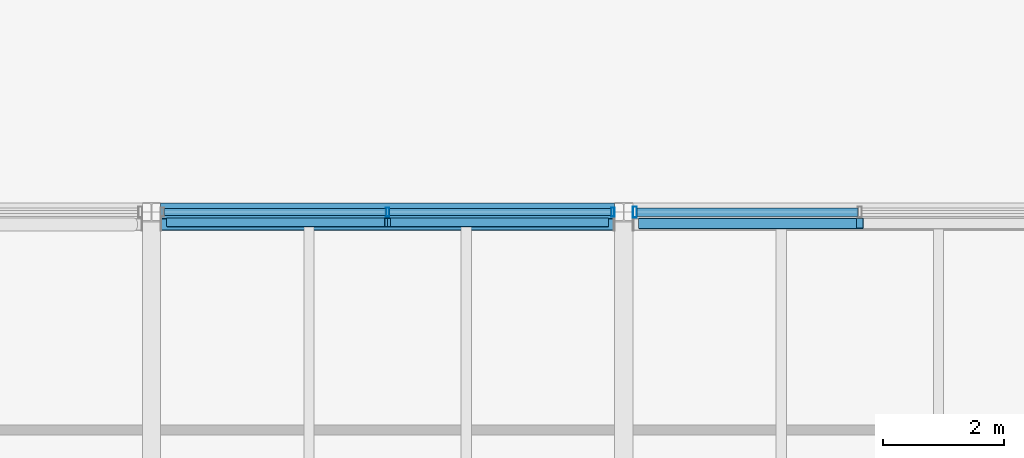
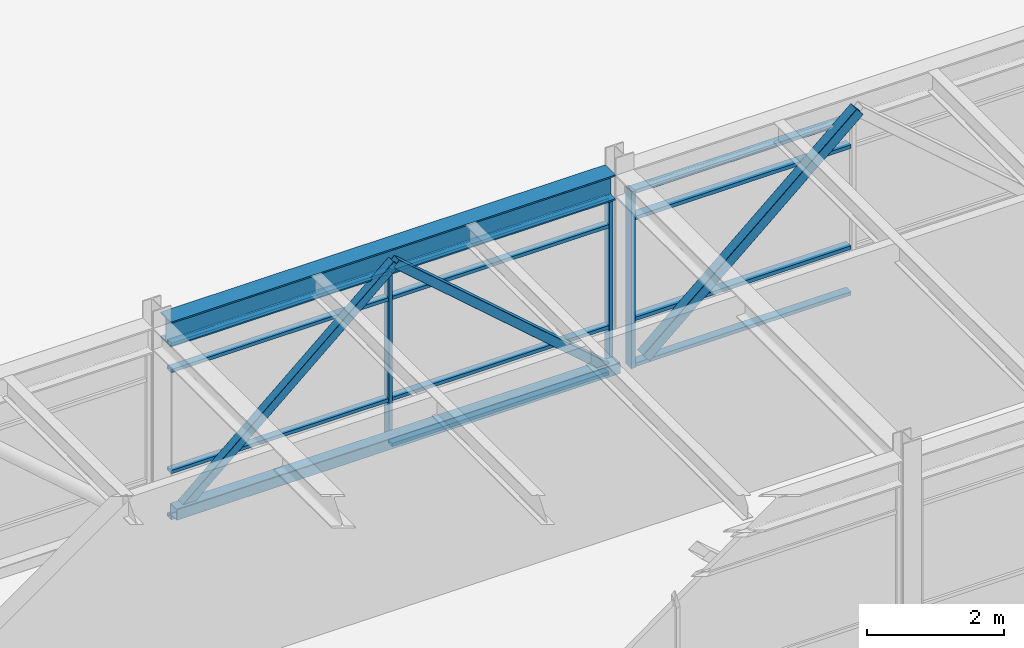
# One storey, part 17 of 72: 19 members, 1 beam, 2 elements without a shape of their own.
"""IFC4 building model written with IfcOpenShell, lengths in metres."""

from ifc_helpers import new_model, si_unit, direction, frame, origin, origin_2d, place, context, subcontext, project, spatial, hollow_rectangle, i_section, extrude, material, material_profile, profile_set, type_object, element, aggregate, save


model = new_model("IFC4")

# Units and contexts
model_context = context("Model", 3, precision=1e-05, world=origin(), true_north=direction((0.0, 1.0)))
body_context = subcontext(model_context, "Body", "Model", "MODEL_VIEW")
ifc_project = project(units=[si_unit("LENGTHUNIT", "METRE"), si_unit("AREAUNIT", "SQUARE_METRE"), si_unit("VOLUMEUNIT", "CUBIC_METRE"), si_unit("PLANEANGLEUNIT", "RADIAN"), si_unit("MASSUNIT", "GRAM", prefix="KILO"), si_unit("THERMODYNAMICTEMPERATUREUNIT", "KELVIN"), si_unit("POWERUNIT", "WATT")], contexts=[model_context])

# Site, building, storey
site_placement = place(None, origin())
site = spatial("IfcSite", under=ifc_project, at=site_placement, CompositionType="ELEMENT")
building_placement = place(site_placement, origin())
building = spatial("IfcBuilding", under=site, at=building_placement, Name="Srebrne Nadtorze General Hospital", CompositionType="ELEMENT")
storey_placement = place(building_placement, frame((0.0, 0.0, 22.199951171875)))
storey = spatial("IfcBuildingStorey", under=building, at=storey_placement, Name="L05", CompositionType="ELEMENT", Elevation=22.199951171875)

# Beam
ifc_material_1 = material(Name="Steel S355J2", Category="steel")
ifc_material_profile_1 = material_profile(ifc_material_1, i_section(OverallWidth=0.300048828125, OverallDepth=0.449951171875, WebThickness=0.013916015625, FlangeThickness=0.02587890625, FilletRadius=0.027099609375, at=origin_2d()), Name="HEB-450")
ifc_profile_set_1 = profile_set([ifc_material_profile_1], Name="Steel S355J2")
beam_type = type_object("IfcBeamType", Name="Courtyard bridge girder HEB 450", PredefinedType="BEAM", material=ifc_profile_set_1)
beam_placement = place(storey_placement, frame((70.35009765625, 58.800048828125, 3.375), z_axis=(1.0, 0.0, 0.0), x_axis=(0.0, 1.0, 0.0)))
element("IfcBeam", 1, at=beam_placement, inside=storey, type_object=beam_type, Name="Beam BM-L05-X-1036", PredefinedType="BEAM", context=body_context, shape_type="SweptSolid", body=[
    extrude(i_section(OverallWidth=0.300048828125, OverallDepth=0.449951171875, WebThickness=0.013916015625, FlangeThickness=0.02587890625, FilletRadius=0.027099609375, at=origin_2d()), origin(), (0.0, 0.0, 1.0), 7.5),
])

# Curtain wall, members
ifc_material_2 = material(Name="Anodised Aluminium", Category="aluminium")
curtain_wall_type = type_object("IfcCurtainWallType", Name="Bridge curtain wall 7500x3150", PredefinedType="NOTDEFINED", material=ifc_material_2)
curtain_wall_1_placement = place(storey_placement, origin())
curtain_wall_1 = element("IfcCurtainWall", 2, at=curtain_wall_1_placement, inside=storey, type_object=curtain_wall_type, Name="Curtain wall CW-126", PredefinedType="NOTDEFINED")
ifc_material_3 = material(Name="Anodised Aluminium", Category="aluminium")
ifc_material_profile_2 = material_profile(ifc_material_3, hollow_rectangle(XDim=0.06005859375, YDim=0.14990234375, WallThickness=0.00390625, at=origin_2d()), Name="AL-MUL-60x150")
ifc_profile_set_2 = profile_set([ifc_material_profile_2], Name="Anodised Aluminium")
member_type_1 = type_object("IfcMemberType", Name="Curtain mullion 60x150", PredefinedType="MULLION", material=ifc_profile_set_2)
member_1_placement = place(storey_placement, frame((74.10009765625, 58.800048828125, 0.0), z_axis=(0.0, 0.0, 1.0), x_axis=(1.0, 0.0, 0.0)))
member_1 = element("IfcMember", 3, at=member_1_placement, type_object=member_type_1, Name="CW-126 mullion 2", PredefinedType="MULLION", context=body_context, shape_type="SweptSolid", body=[
    extrude(hollow_rectangle(XDim=0.06005859375, YDim=0.14990234375, WallThickness=0.00390625, at=origin_2d()), origin(), (0.0, 0.0, 1.0), 3.150146484375),
])
member_2_placement = place(storey_placement, frame((77.820068359375, 58.800048828125, 0.0), z_axis=(0.0, 0.0, 1.0), x_axis=(1.0, 0.0, 0.0)))
member_2 = element("IfcMember", 4, at=member_2_placement, type_object=member_type_1, Name="CW-126 mullion 3", PredefinedType="MULLION", context=body_context, shape_type="SweptSolid", body=[
    extrude(hollow_rectangle(XDim=0.06005859375, YDim=0.14990234375, WallThickness=0.00390625, at=origin_2d()), origin(), (0.0, 0.0, 1.0), 3.150146484375),
])

# Curtain wall, member
curtain_wall_2_placement = place(storey_placement, origin())
curtain_wall_2 = element("IfcCurtainWall", 5, at=curtain_wall_2_placement, inside=storey, type_object=curtain_wall_type, Name="Curtain wall CW-127", PredefinedType="NOTDEFINED")
ifc_material_4 = material(Name="Anodised Aluminium", Category="aluminium")
ifc_material_profile_3 = material_profile(ifc_material_4, hollow_rectangle(XDim=0.06494140625, YDim=0.179931640625, WallThickness=0.00390625, at=origin_2d()), Name="AL-MUL-65x180")
ifc_profile_set_3 = profile_set([ifc_material_profile_3], Name="Anodised Aluminium")
member_type_2 = type_object("IfcMemberType", Name="Curtain mullion 65x180", PredefinedType="MULLION", material=ifc_profile_set_3)
member_3_placement = place(storey_placement, frame((78.1826171875, 58.800048828125, 0.0), z_axis=(0.0, 0.0, 1.0), x_axis=(1.0, 0.0, 0.0)))
member_3 = element("IfcMember", 6, at=member_3_placement, type_object=member_type_2, Name="CW-127 mullion 1", PredefinedType="MULLION", context=body_context, shape_type="SweptSolid", body=[
    extrude(hollow_rectangle(XDim=0.06494140625, YDim=0.179931640625, WallThickness=0.00390625, at=origin_2d()), origin(), (0.0, 0.0, 1.0), 3.150146484375),
])

# Member
ifc_material_5 = material(Name="Anodised Aluminium", Category="aluminium")
ifc_material_profile_4 = material_profile(ifc_material_5, hollow_rectangle(XDim=0.06005859375, YDim=0.1201171875, WallThickness=0.00390625, at=origin_2d()), Name="AL-TRN-60x120")
ifc_profile_set_4 = profile_set([ifc_material_profile_4], Name="Anodised Aluminium")
member_type_3 = type_object("IfcMemberType", Name="Curtain transom 60x120", PredefinedType="USERDEFINED", material=ifc_profile_set_4)
member_4_placement = place(storey_placement, frame((70.409912109375, 58.800048828125, 0.030029296875), z_axis=(1.0, 0.0, 0.0), x_axis=(0.0, 0.0, 1.0)))
member_4 = element("IfcMember", 7, at=member_4_placement, type_object=member_type_3, Name="CW-126 transom 1.1", ObjectType="TRANSOM", PredefinedType="USERDEFINED", context=body_context, shape_type="SweptSolid", body=[
    extrude(hollow_rectangle(XDim=0.06005859375, YDim=0.1201171875, WallThickness=0.00390625, at=origin_2d()), origin(), (0.0, 0.0, 1.0), 3.66015625),
])

member_5_placement = place(storey_placement, frame((70.409912109375, 58.800048828125, 0.85009765625), z_axis=(1.0, 0.0, 0.0), x_axis=(0.0, 0.0, 1.0)))
member_5 = element("IfcMember", 8, at=member_5_placement, type_object=member_type_3, Name="CW-126 transom 1.2", ObjectType="TRANSOM", PredefinedType="USERDEFINED", context=body_context, shape_type="SweptSolid", body=[
    extrude(hollow_rectangle(XDim=0.06005859375, YDim=0.1201171875, WallThickness=0.00390625, at=origin_2d()), origin(), (0.0, 0.0, 1.0), 3.66015625),
])

member_6_placement = place(storey_placement, frame((70.409912109375, 58.800048828125, 2.650146484375), z_axis=(1.0, 0.0, 0.0), x_axis=(0.0, 0.0, 1.0)))
member_6 = element("IfcMember", 9, at=member_6_placement, type_object=member_type_3, Name="CW-126 transom 1.3", ObjectType="TRANSOM", PredefinedType="USERDEFINED", context=body_context, shape_type="SweptSolid", body=[
    extrude(hollow_rectangle(XDim=0.06005859375, YDim=0.1201171875, WallThickness=0.00390625, at=origin_2d()), origin(), (0.0, 0.0, 1.0), 3.66015625),
])

member_7_placement = place(storey_placement, frame((70.409912109375, 58.800048828125, 3.1201171875), z_axis=(1.0, 0.0, 0.0), x_axis=(0.0, 0.0, 1.0)))
member_7 = element("IfcMember", 10, at=member_7_placement, type_object=member_type_3, Name="CW-126 transom 1.4", ObjectType="TRANSOM", PredefinedType="USERDEFINED", context=body_context, shape_type="SweptSolid", body=[
    extrude(hollow_rectangle(XDim=0.06005859375, YDim=0.1201171875, WallThickness=0.00390625, at=origin_2d()), origin(), (0.0, 0.0, 1.0), 3.66015625),
])

member_8_placement = place(storey_placement, frame((74.1298828125, 58.800048828125, 0.030029296875), z_axis=(1.0, 0.0, 0.0), x_axis=(0.0, 0.0, 1.0)))
member_8 = element("IfcMember", 11, at=member_8_placement, type_object=member_type_3, Name="CW-126 transom 2.1", ObjectType="TRANSOM", PredefinedType="USERDEFINED", context=body_context, shape_type="SweptSolid", body=[
    extrude(hollow_rectangle(XDim=0.06005859375, YDim=0.1201171875, WallThickness=0.00390625, at=origin_2d()), origin(), (0.0, 0.0, 1.0), 3.66015625),
])

member_9_placement = place(storey_placement, frame((74.1298828125, 58.800048828125, 0.85009765625), z_axis=(1.0, 0.0, 0.0), x_axis=(0.0, 0.0, 1.0)))
member_9 = element("IfcMember", 12, at=member_9_placement, type_object=member_type_3, Name="CW-126 transom 2.2", ObjectType="TRANSOM", PredefinedType="USERDEFINED", context=body_context, shape_type="SweptSolid", body=[
    extrude(hollow_rectangle(XDim=0.06005859375, YDim=0.1201171875, WallThickness=0.00390625, at=origin_2d()), origin(), (0.0, 0.0, 1.0), 3.66015625),
])

member_10_placement = place(storey_placement, frame((74.1298828125, 58.800048828125, 2.650146484375), z_axis=(1.0, 0.0, 0.0), x_axis=(0.0, 0.0, 1.0)))
member_10 = element("IfcMember", 13, at=member_10_placement, type_object=member_type_3, Name="CW-126 transom 2.3", ObjectType="TRANSOM", PredefinedType="USERDEFINED", context=body_context, shape_type="SweptSolid", body=[
    extrude(hollow_rectangle(XDim=0.06005859375, YDim=0.1201171875, WallThickness=0.00390625, at=origin_2d()), origin(), (0.0, 0.0, 1.0), 3.66015625),
])

member_11_placement = place(storey_placement, frame((74.1298828125, 58.800048828125, 3.1201171875), z_axis=(1.0, 0.0, 0.0), x_axis=(0.0, 0.0, 1.0)))
member_11 = element("IfcMember", 14, at=member_11_placement, type_object=member_type_3, Name="CW-126 transom 2.4", ObjectType="TRANSOM", PredefinedType="USERDEFINED", context=body_context, shape_type="SweptSolid", body=[
    extrude(hollow_rectangle(XDim=0.06005859375, YDim=0.1201171875, WallThickness=0.00390625, at=origin_2d()), origin(), (0.0, 0.0, 1.0), 3.66015625),
])

aggregate(curtain_wall_1, [member_1, member_2, member_4, member_5, member_6, member_7, member_8, member_9, member_10, member_11])

ifc_material_6 = material(Name="Anodised Aluminium", Category="aluminium")
ifc_material_profile_5 = material_profile(ifc_material_6, hollow_rectangle(XDim=0.06494140625, YDim=0.139892578125, WallThickness=0.00390625, at=origin_2d()), Name="AL-TRN-65x140")
ifc_profile_set_5 = profile_set([ifc_material_profile_5], Name="Anodised Aluminium")
member_type_4 = type_object("IfcMemberType", Name="Curtain transom 65x140", PredefinedType="USERDEFINED", material=ifc_profile_set_5)
member_12_placement = place(storey_placement, frame((78.215087890625, 58.800048828125, 0.032470703125), z_axis=(1.0, 0.0, 0.0), x_axis=(0.0, 0.0, 1.0)))
member_12 = element("IfcMember", 15, at=member_12_placement, type_object=member_type_4, Name="CW-127 transom 1.1", ObjectType="TRANSOM", PredefinedType="USERDEFINED", context=body_context, shape_type="SweptSolid", body=[
    extrude(hollow_rectangle(XDim=0.06494140625, YDim=0.139892578125, WallThickness=0.00390625, at=origin_2d()), origin(), (0.0, 0.0, 1.0), 3.65234375),
])

member_13_placement = place(storey_placement, frame((78.215087890625, 58.800048828125, 0.85009765625), z_axis=(1.0, 0.0, 0.0), x_axis=(0.0, 0.0, 1.0)))
member_13 = element("IfcMember", 16, at=member_13_placement, type_object=member_type_4, Name="CW-127 transom 1.2", ObjectType="TRANSOM", PredefinedType="USERDEFINED", context=body_context, shape_type="SweptSolid", body=[
    extrude(hollow_rectangle(XDim=0.06494140625, YDim=0.139892578125, WallThickness=0.00390625, at=origin_2d()), origin(), (0.0, 0.0, 1.0), 3.65234375),
])

member_14_placement = place(storey_placement, frame((78.215087890625, 58.800048828125, 2.650146484375), z_axis=(1.0, 0.0, 0.0), x_axis=(0.0, 0.0, 1.0)))
member_14 = element("IfcMember", 17, at=member_14_placement, type_object=member_type_4, Name="CW-127 transom 1.3", ObjectType="TRANSOM", PredefinedType="USERDEFINED", context=body_context, shape_type="SweptSolid", body=[
    extrude(hollow_rectangle(XDim=0.06494140625, YDim=0.139892578125, WallThickness=0.00390625, at=origin_2d()), origin(), (0.0, 0.0, 1.0), 3.65234375),
])

member_15_placement = place(storey_placement, frame((78.215087890625, 58.800048828125, 3.117431640625), z_axis=(1.0, 0.0, 0.0), x_axis=(0.0, 0.0, 1.0)))
member_15 = element("IfcMember", 18, at=member_15_placement, type_object=member_type_4, Name="CW-127 transom 1.4", ObjectType="TRANSOM", PredefinedType="USERDEFINED", context=body_context, shape_type="SweptSolid", body=[
    extrude(hollow_rectangle(XDim=0.06494140625, YDim=0.139892578125, WallThickness=0.00390625, at=origin_2d()), origin(), (0.0, 0.0, 1.0), 3.65234375),
])

aggregate(curtain_wall_2, [member_3, member_12, member_13, member_14, member_15])

# Members
ifc_material_7 = material(Name="Steel S355J2", Category="steel")
ifc_material_profile_6 = material_profile(ifc_material_7, hollow_rectangle(XDim=0.179931640625, YDim=0.179931640625, WallThickness=0.008056640625, InnerFilletRadius=0.008056640625, OuterFilletRadius=0.011962890625, at=origin_2d()), Name="SHS-180x180x8")
ifc_profile_set_6 = profile_set([ifc_material_profile_6], Name="Steel S355J2")
member_type_5 = type_object("IfcMemberType", Name="Diagonal brace SHS 180x180x8", PredefinedType="BRACE", material=ifc_profile_set_6)
member_16_placement = place(storey_placement, frame((78.300048828125, 58.614990234375, 0.25), z_axis=(0.754624252348, 0.0, 0.656157174592), x_axis=(0.0, 1.0, 0.0)))
element("IfcMember", 19, at=member_16_placement, inside=storey, type_object=member_type_5, Name="Clinical courtyard bridge brace 19", PredefinedType="BRACE", context=body_context, shape_type="SweptSolid", body=[
    extrude(hollow_rectangle(XDim=0.179931640625, YDim=0.179931640625, WallThickness=0.008056640625, InnerFilletRadius=0.008056640625, OuterFilletRadius=0.011962890625, at=origin_2d()), origin(), (0.0, 0.0, 1.0), 4.7705078125),
])
ifc_material_8 = material(Name="Steel S355J2", Category="steel")
ifc_material_profile_7 = material_profile(ifc_material_8, hollow_rectangle(XDim=0.199951171875, YDim=0.199951171875, WallThickness=0.010009765625, InnerFilletRadius=0.010009765625, OuterFilletRadius=0.014892578125, at=origin_2d()), Name="SHS-200x200x10")
ifc_profile_set_7 = profile_set([ifc_material_profile_7], Name="Steel S355J2")
member_type_6 = type_object("IfcMemberType", Name="Truss chord SHS 200x200x10", PredefinedType="CHORD", material=ifc_profile_set_7)
member_17_placement = place(storey_placement, frame((70.362060546875, 58.594970703125, 0.25), z_axis=(1.0, 0.0, 0.0), x_axis=(0.0, 1.0, 0.0)))
element("IfcMember", 20, at=member_17_placement, inside=storey, type_object=member_type_6, Name="Clinical courtyard bridge truss chord 9", PredefinedType="CHORD", context=body_context, shape_type="SweptSolid", body=[
    extrude(hollow_rectangle(XDim=0.199951171875, YDim=0.199951171875, WallThickness=0.010009765625, InnerFilletRadius=0.010009765625, OuterFilletRadius=0.014892578125, at=origin_2d()), origin(), (0.0, 0.0, 1.0), 7.475830078125),
])
ifc_material_9 = material(Name="Steel S355J2", Category="steel")
ifc_material_profile_8 = material_profile(ifc_material_9, hollow_rectangle(XDim=0.14990234375, YDim=0.14990234375, WallThickness=0.00634765625, InnerFilletRadius=0.006103515625, OuterFilletRadius=0.009033203125, at=origin_2d()), Name="SHS-150x150x6.3")
ifc_profile_set_8 = profile_set([ifc_material_profile_8], Name="Steel S355J2")
member_type_7 = type_object("IfcMemberType", Name="Wind brace SHS 150x150x6.3", PredefinedType="BRACE", material=ifc_profile_set_8)
for number, where, z_axis, x_axis, name in (
    (21, (70.5, 58.6298828125, 0.25), (0.754646285498, 0.0, 0.656131834149), (0.0, 1.0, 0.0), "Clinical courtyard bridge brace 17"),
    (22, (77.699951171875, 58.6298828125, 0.25), (-0.754624252348, 0.0, 0.656157174592), (0.0, -1.0, 0.0), "Clinical courtyard bridge brace 18"),
):
    element("IfcMember", number, at=place(storey_placement, frame(where, z_axis=z_axis, x_axis=x_axis)), inside=storey, type_object=member_type_7, Name=name, PredefinedType="BRACE", context=body_context, shape_type="SweptSolid", body=[
        extrude(hollow_rectangle(XDim=0.14990234375, YDim=0.14990234375, WallThickness=0.00634765625, InnerFilletRadius=0.006103515625, OuterFilletRadius=0.009033203125, at=origin_2d()), origin(), (0.0, 0.0, 1.0), 4.7705078125),
    ])

save(model, "model.ifc")
